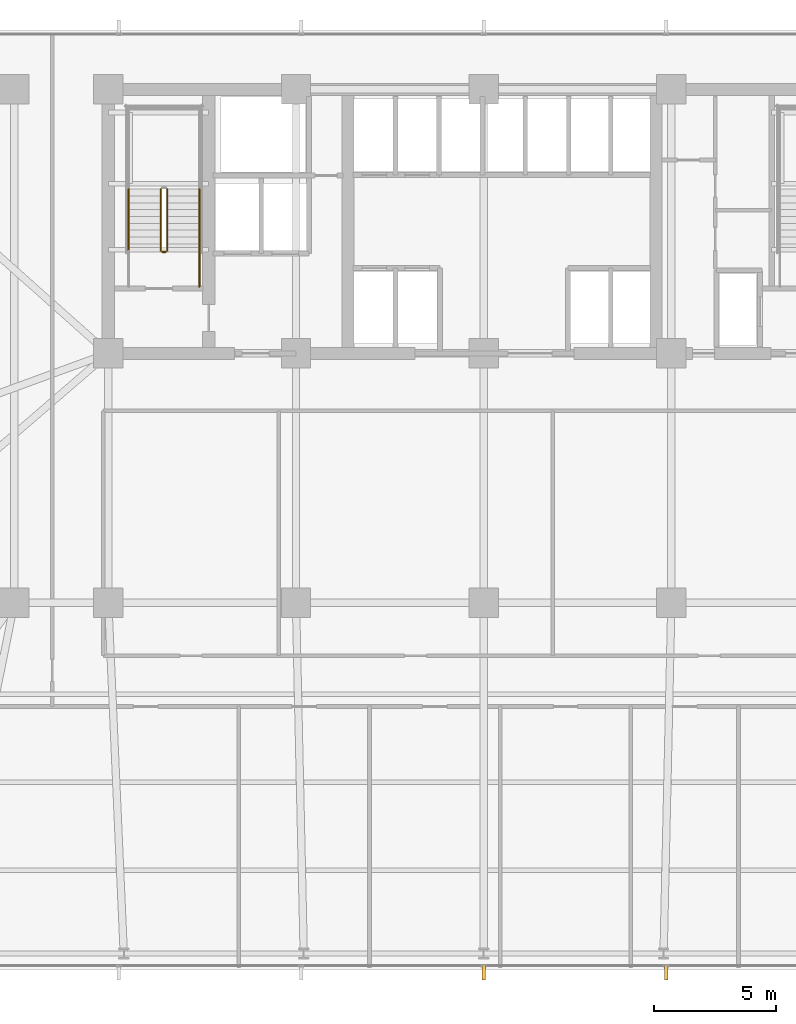
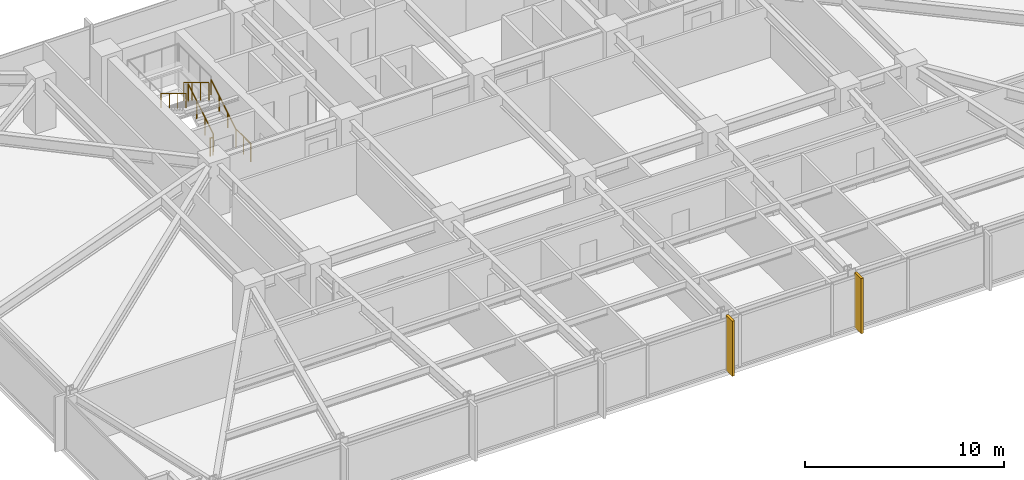
# One storey, part 28 of 32: 6 railings, 2 shading devices.
"""IFC4 building model written with IfcOpenShell, lengths in metres."""

import ifcopenshell
import ifcopenshell.guid

model = None  # the IFC model being written
_history = None  # IfcOwnerHistory: only IFC2X3 demands one
_inside = {}  # id of a spatial element -> (the spatial element, [elements in it])
_under = {}  # id of a project, library or spatial element -> (it, [spatial elements below it])
_declared = {}  # id of a project -> (the project, [libraries it declares])
_typed = {}  # id of a type object -> (the type object, [elements of that type])
_made_of = {}  # id of a material, layer set ... -> (it, [elements and type objects made of it])


def new_model(schema):
    """Start an empty IFC model of exactly this schema.

    Asked for "IFC4X3", IfcOpenShell would pick the latest addendum, in which some entities
    have other attributes; the version numbers below select the first issue.
    IFC2X3 requires an IfcOwnerHistory on every rooted entity: one is made here for all.
    """
    global model, _history
    if schema == "IFC4X3":
        model = ifcopenshell.file(schema_version=(4, 3, 0, 0))
    else:
        model = ifcopenshell.file(schema=schema)
    _inside.clear()
    _under.clear()
    _declared.clear()
    _typed.clear()
    _made_of.clear()
    _history = None
    if model.schema == "IFC2X3":
        org = make("IfcOrganization", Name="unknown")
        user = make(
            "IfcPersonAndOrganization",
            ThePerson=make("IfcPerson", FamilyName="unknown"),
            TheOrganization=org,
        )
        app = make(
            "IfcApplication",
            ApplicationDeveloper=org,
            Version="unknown",
            ApplicationFullName="unknown",
            ApplicationIdentifier="unknown",
        )
        _history = make(
            "IfcOwnerHistory",
            OwningUser=user,
            OwningApplication=app,
            ChangeAction="ADDED",
            CreationDate=0,
        )
    return model


def make(cls, **values):
    """One entity of the class cls with the attributes given. An attribute that is None is left unset."""
    return model.create_entity(
        cls, **{name: value for name, value in values.items() if value is not None}
    )


def rooted(cls, **values):
    """An entity with a GlobalId (a new one), such as an element, a storey or a relation."""
    return make(cls, GlobalId=ifcopenshell.guid.new(), OwnerHistory=_history, **values)


def si_unit(unit_type, name, prefix=None):
    """IfcSIUnit, for example si_unit("LENGTHUNIT", "METRE", prefix="MILLI")."""
    return make("IfcSIUnit", UnitType=unit_type, Prefix=prefix, Name=name)


def assignment(units):
    """IfcUnitAssignment: the units of a project."""
    return None if units is None else make("IfcUnitAssignment", Units=units)


def point(xyz):
    """IfcCartesianPoint."""
    return None if xyz is None else make("IfcCartesianPoint", Coordinates=xyz)


def direction(xyz):
    """IfcDirection."""
    return None if xyz is None else make("IfcDirection", DirectionRatios=xyz)


def frame(location, z_axis=None, x_axis=None):
    """IfcAxis2Placement3D, a coordinate frame: its origin and axes. An axis left out is left unset."""
    return make(
        "IfcAxis2Placement3D",
        Location=point(location),
        Axis=direction(z_axis),
        RefDirection=direction(x_axis),
    )


def frame_2d(location, x_axis=None):
    """IfcAxis2Placement2D, a coordinate frame in the plane: its origin and x axis."""
    return make(
        "IfcAxis2Placement2D", Location=point(location), RefDirection=direction(x_axis)
    )


def origin():
    """The frame at (0, 0, 0) with its axes left unset."""
    return frame((0.0, 0.0, 0.0))


def origin_2d():
    """The frame at (0, 0) in the plane with its x axis left unset."""
    return frame_2d((0.0, 0.0))


def place(relative_to, where):
    """IfcLocalPlacement: puts the frame where relative to a parent placement (None: the world)."""
    return make(
        "IfcLocalPlacement", PlacementRelTo=relative_to, RelativePlacement=where
    )


def context(
    kind, dimensions, precision=None, world=None, true_north=None, identifier=None
):
    """IfcGeometricRepresentationContext, for example the 3D "Model" context."""
    return make(
        "IfcGeometricRepresentationContext",
        ContextIdentifier=identifier,
        ContextType=kind,
        CoordinateSpaceDimension=dimensions,
        Precision=precision,
        WorldCoordinateSystem=world,
        TrueNorth=true_north,
    )


def subcontext(parent, identifier, kind, view, scale=None):
    """IfcGeometricRepresentationSubContext, for example "Body" below "Model"."""
    return make(
        "IfcGeometricRepresentationSubContext",
        ContextIdentifier=identifier,
        ContextType=kind,
        ParentContext=parent,
        TargetScale=scale,
        TargetView=view,
    )


def project(units=None, contexts=None):
    """IfcProject with its units and contexts."""
    return rooted(
        "IfcProject",
        Name="project",
        RepresentationContexts=contexts,
        UnitsInContext=assignment(units),
    )


def spatial(cls, under=None, at=None, **own):
    """A site, building, storey or space (cls), placed at a placement, below another one or the project."""
    s = rooted(cls, ObjectPlacement=at, **own)
    if under is not None:
        _under.setdefault(under.id(), (under, []))[1].append(s)
    return s


def profile(cls, at=None, kind="AREA", **sizes):
    """A parametric profile (cls). Its sizes go by their IFC names, for example OverallWidth=200.0."""
    return make(cls, ProfileType=kind, Position=at, **sizes)


def rectangle(**sizes):
    """IfcRectangleProfileDef."""
    return profile("IfcRectangleProfileDef", **sizes)


def circle(**sizes):
    """IfcCircleProfileDef."""
    return profile("IfcCircleProfileDef", **sizes)


def extrude(swept, where, along, depth):
    """IfcExtrudedAreaSolid: the profile swept, set in the frame where, extruded along a direction by depth."""
    return make(
        "IfcExtrudedAreaSolid",
        SweptArea=swept,
        Position=where,
        ExtrudedDirection=direction(along),
        Depth=depth,
    )


def shape(context_of_items, identifier, shape_type, items):
    """IfcShapeRepresentation: the items that make up one representation, for example the "Body"."""
    return make(
        "IfcShapeRepresentation",
        ContextOfItems=context_of_items,
        RepresentationIdentifier=identifier,
        RepresentationType=shape_type,
        Items=items,
    )


def material(Name=None, Category=None):
    """IfcMaterial."""
    return make("IfcMaterial", Name=Name, Category=Category)


def layer(
    of_material, thickness, ventilated=None, Name=None, Category=None, Priority=None
):
    """IfcMaterialLayer: one layer of a wall or slab, of a material (None: an air gap)."""
    return make(
        "IfcMaterialLayer",
        Material=of_material,
        LayerThickness=thickness,
        IsVentilated=ventilated,
        Name=Name,
        Category=Category,
        Priority=Priority,
    )


def layer_set(layers, Name=None):
    """IfcMaterialLayerSet."""
    return make("IfcMaterialLayerSet", MaterialLayers=layers, LayerSetName=Name)


def made_of(thing, what):
    """Note that an element or type object is made of a material, layer set ...; save() writes the relation."""
    if what is not None:
        _made_of.setdefault(what.id(), (what, []))[1].append(thing)
    return thing


def type_object(cls, material=None, **own):
    """A type object (cls), such as IfcWallType, which elements share."""
    return made_of(rooted(cls, **own), material)


def element(
    cls,
    number,
    at=None,
    inside=None,
    cuts=None,
    type_object=None,
    material=None,
    context=None,
    identifier="Body",
    shape_type=None,
    held_by="IfcProductDefinitionShape",
    body=None,
    shapes=None,
    **own,
):
    """One element of the class cls, such as IfcWall. Its Tag is "e" and its number.

    at: its placement. inside: the storey or other place that contains it. cuts: it is an
    opening in that element (IfcRelVoidsElement). A single representation is given by context,
    identifier, shape_type and body (its items); several are given by shapes. held_by: the class
    of the entity that holds the representations. save() writes the other relations.
    """
    e = rooted(cls, Tag="e%d" % number, ObjectPlacement=at, **own)
    if body is not None:
        shapes = [shape(context, identifier, shape_type, body)]
    if shapes is not None:
        e.Representation = make(held_by, Representations=shapes)
    if inside is not None:
        _inside.setdefault(inside.id(), (inside, []))[1].append(e)
    if cuts is not None:
        rooted(
            "IfcRelVoidsElement", RelatingBuildingElement=cuts, RelatedOpeningElement=e
        )
    if type_object is not None:
        _typed.setdefault(type_object.id(), (type_object, []))[1].append(e)
    return made_of(e, material)


def aggregate(whole, parts):
    """IfcRelAggregates: a whole, such as a stair, and the parts it consists of."""
    return rooted("IfcRelAggregates", RelatingObject=whole, RelatedObjects=parts)


def save(model, path):
    """Write the relations noted so far, then the file.

    IfcRelAggregates (storeys below a building ...), IfcRelContainedInSpatialStructure (elements
    in a storey), IfcRelDefinesByType, IfcRelAssociatesMaterial and IfcRelDeclares: one each for
    every whole, place, type object, material and project.
    """
    for whole, parts in _under.values():
        aggregate(whole, parts)
    for where, things in _inside.values():
        rooted(
            "IfcRelContainedInSpatialStructure",
            RelatedElements=things,
            RelatingStructure=where,
        )
    for kind, things in _typed.values():
        rooted("IfcRelDefinesByType", RelatedObjects=things, RelatingType=kind)
    for what, things in _made_of.values():
        rooted("IfcRelAssociatesMaterial", RelatedObjects=things, RelatingMaterial=what)
    for by, libraries in _declared.values():
        rooted("IfcRelDeclares", RelatingContext=by, RelatedDefinitions=libraries)
    model.write(path)


model = new_model("IFC4")

# Units and contexts
model_context = context("Model", 3, precision=1e-05, world=origin(), true_north=direction((0.0, 1.0)))
body_context = subcontext(model_context, "Body", "Model", "MODEL_VIEW")
ifc_project = project(units=[si_unit("LENGTHUNIT", "METRE"), si_unit("AREAUNIT", "SQUARE_METRE"), si_unit("VOLUMEUNIT", "CUBIC_METRE"), si_unit("PLANEANGLEUNIT", "RADIAN"), si_unit("MASSUNIT", "GRAM", prefix="KILO")], contexts=[model_context])

# Site, building, storey
site_placement = place(None, origin())
site = spatial("IfcSite", under=ifc_project, at=site_placement, CompositionType="ELEMENT")
building_placement = place(site_placement, origin())
building = spatial("IfcBuilding", under=site, at=building_placement, Name="Yelkora Congress Tower", CompositionType="ELEMENT")
storey_placement = place(building_placement, frame((0.0, 0.0, 44.0)))
storey = spatial("IfcBuildingStorey", under=building, at=storey_placement, Name="L10", CompositionType="ELEMENT", Elevation=44.0)

# Railings
ifc_material_1 = material(Name="Painted galvanised steel stair well guard with vertical infill", Category="steel")
ifc_layer_1 = layer(ifc_material_1, 0.06005859375)
ifc_layer_set_1 = layer_set([ifc_layer_1], Name="Painted galvanised steel stair well guard with vertical infill")
railing_type_1 = type_object("IfcRailingType", Name="RAIL-STAIR-GUARD-1120", PredefinedType="GUARDRAIL", material=ifc_layer_set_1)
railing_1_placement = place(storey_placement, frame((25.449951171875, 39.60009765625, 0.169921875)))
element("IfcRailing", 1, at=railing_1_placement, inside=storey, type_object=railing_type_1, Name="ST-01 L10 Stair Well Guardrail 1", PredefinedType="GUARDRAIL", context=body_context, shape_type="SweptSolid", body=[
    extrude(circle(Radius=0.02392578125, at=origin_2d()), frame((0.0, 0.0, 1.09619140625), z_axis=(0.0, 0.85478489116, 0.518982456201), x_axis=(-1.0, 0.0, 0.0)), (0.0, 0.0, 1.0), 2.9482421875),
    extrude(circle(Radius=0.02099609375, at=origin_2d()), origin(), (0.0, 0.0, 1.0), 1.072021484375),
    extrude(circle(Radius=0.02099609375, at=origin_2d()), frame((0.0, 0.840087890625, 0.510009765625)), (0.0, 0.0, 1.0), 1.072021484375),
    extrude(circle(Radius=0.02099609375, at=origin_2d()), frame((0.0, 1.679931640625, 1.02001953125)), (0.0, 0.0, 1.0), 1.072021484375),
    extrude(circle(Radius=0.02099609375, at=origin_2d()), frame((0.0, 2.52001953125, 1.530029296875)), (0.0, 0.0, 1.0), 1.072021484375),
])
railing_2_placement = place(storey_placement, frame((25.18994140625, 42.1201171875, 1.8701171875)))
element("IfcRailing", 2, at=railing_2_placement, inside=storey, type_object=railing_type_1, Name="ST-01 L10 Stair Well Guardrail 6", PredefinedType="GUARDRAIL", context=body_context, shape_type="SweptSolid", body=[
    extrude(circle(Radius=0.02392578125, at=origin_2d()), frame((0.0, 0.0, 1.09619140625), z_axis=(0.0, -0.854821627497, 0.518921945155), x_axis=(1.0, 0.0, 0.0)), (0.0, 0.0, 1.0), 2.947998046875),
    extrude(circle(Radius=0.02099609375, at=origin_2d()), origin(), (0.0, 0.0, 1.0), 1.072021484375),
    extrude(circle(Radius=0.02099609375, at=origin_2d()), frame((0.0, -0.840087890625, 0.510009765625)), (0.0, 0.0, 1.0), 1.072021484375),
    extrude(circle(Radius=0.02099609375, at=origin_2d()), frame((0.0, -1.679931640625, 1.019775390625)), (0.0, 0.0, 1.0), 1.072021484375),
    extrude(circle(Radius=0.02099609375, at=origin_2d()), frame((0.0, -2.52001953125, 1.52978515625)), (0.0, 0.0, 1.0), 1.072021484375),
])
railing_3_placement = place(storey_placement, frame((25.39990234375, 39.550048828125, 0.0)))
element("IfcRailing", 3, at=railing_3_placement, inside=storey, type_object=railing_type_1, Name="ST-01 L10 Stair Well Guardrail 7", PredefinedType="GUARDRAIL", context=body_context, shape_type="SweptSolid", body=[
    extrude(circle(Radius=0.02392578125, at=origin_2d()), frame((0.0, 0.0, 1.09619140625), z_axis=(-1.0, 0.0, 0.0), x_axis=(0.0, -1.0, 0.0)), (0.0, 0.0, 1.0), 0.159912109375),
    extrude(circle(Radius=0.02099609375, at=origin_2d()), origin(), (0.0, 0.0, 1.0), 1.072021484375),
    extrude(circle(Radius=0.02099609375, at=origin_2d()), frame((-0.159912109375, 0.0, 0.0)), (0.0, 0.0, 1.0), 1.072021484375),
])
railing_4_placement = place(storey_placement, frame((26.77001953125, 38.1201171875, 0.0)))
element("IfcRailing", 4, at=railing_4_placement, inside=storey, type_object=railing_type_1, Name="ST-01 L10 Stair Well Guardrail 8", PredefinedType="GUARDRAIL", context=body_context, shape_type="SweptSolid", body=[
    extrude(circle(Radius=0.02392578125, at=origin_2d()), frame((0.0, 0.0, 1.09619140625), z_axis=(0.0, 1.0, 0.0), x_axis=(-1.0, 0.0, 0.0)), (0.0, 0.0, 1.0), 1.47998046875),
    extrude(circle(Radius=0.02099609375, at=origin_2d()), origin(), (0.0, 0.0, 1.0), 1.072021484375),
    extrude(circle(Radius=0.02099609375, at=origin_2d()), frame((0.0, 0.739990234375, 0.0)), (0.0, 0.0, 1.0), 1.072021484375),
    extrude(circle(Radius=0.02099609375, at=origin_2d()), frame((0.0, 1.47998046875, 0.0)), (0.0, 0.0, 1.0), 1.072021484375),
])
ifc_material_2 = material(Name="Brushed stainless steel tubular handrail", Category="steel")
ifc_layer_2 = layer(ifc_material_2, 0.050048828125)
ifc_layer_set_2 = layer_set([ifc_layer_2], Name="Brushed stainless steel tubular handrail")
railing_type_2 = type_object("IfcRailingType", Name="RAIL-STAIR-HAND-920", PredefinedType="HANDRAIL", material=ifc_layer_set_2)
railing_5_placement = place(storey_placement, frame((26.77001953125, 39.60009765625, 0.169921875)))
element("IfcRailing", 5, at=railing_5_placement, inside=storey, type_object=railing_type_2, Name="ST-01 L10 Pitch Handrail 1", PredefinedType="HANDRAIL", context=body_context, shape_type="SweptSolid", body=[
    extrude(circle(Radius=0.02392578125, at=origin_2d()), frame((0.0, 0.0, 0.89599609375), z_axis=(0.0, 0.85478489116, 0.518982456201), x_axis=(-1.0, 0.0, 0.0)), (0.0, 0.0, 1.0), 2.9482421875),
    extrude(circle(Radius=0.02099609375, at=origin_2d()), origin(), (0.0, 0.0, 1.0), 0.871826171875),
    extrude(circle(Radius=0.02099609375, at=origin_2d()), frame((0.0, 0.840087890625, 0.510009765625)), (0.0, 0.0, 1.0), 0.871826171875),
    extrude(circle(Radius=0.02099609375, at=origin_2d()), frame((0.0, 1.679931640625, 1.02001953125)), (0.0, 0.0, 1.0), 0.871826171875),
    extrude(circle(Radius=0.02099609375, at=origin_2d()), frame((0.0, 2.52001953125, 1.530029296875)), (0.0, 0.0, 1.0), 0.871826171875),
])
railing_6_placement = place(storey_placement, frame((23.8701171875, 42.1201171875, 1.8701171875)))
element("IfcRailing", 6, at=railing_6_placement, inside=storey, type_object=railing_type_2, Name="ST-01 L10 Pitch Handrail 2", PredefinedType="HANDRAIL", context=body_context, shape_type="SweptSolid", body=[
    extrude(circle(Radius=0.02392578125, at=origin_2d()), frame((0.0, 0.0, 0.89599609375), z_axis=(0.0, -0.854821627497, 0.518921945155), x_axis=(1.0, 0.0, 0.0)), (0.0, 0.0, 1.0), 2.947998046875),
    extrude(circle(Radius=0.02099609375, at=origin_2d()), origin(), (0.0, 0.0, 1.0), 0.871826171875),
    extrude(circle(Radius=0.02099609375, at=origin_2d()), frame((0.0, -0.840087890625, 0.510009765625)), (0.0, 0.0, 1.0), 0.871826171875),
    extrude(circle(Radius=0.02099609375, at=origin_2d()), frame((0.0, -1.679931640625, 1.019775390625)), (0.0, 0.0, 1.0), 0.871826171875),
    extrude(circle(Radius=0.02099609375, at=origin_2d()), frame((0.0, -2.52001953125, 1.52978515625)), (0.0, 0.0, 1.0), 0.871826171875),
])

# Shading devices
ifc_material_3 = material(Name="Champagne anodised aluminium", Category="aluminium")
ifc_layer_3 = layer(ifc_material_3, 3.39990234375)
ifc_layer_set_3 = layer_set([ifc_layer_3], Name="Champagne anodised aluminium")
shading_device_type = type_object("IfcShadingDeviceType", Name="SHD-FIN-ALU-640", PredefinedType="USERDEFINED", material=ifc_layer_set_3)
for number, where, z_axis, x_axis, name in (
    (7, (45.864990234375, 10.080078125, -0.030029296875), (0.0, 0.0, 1.0), (-1.0, 0.0, 0.0), "L10 Vertical Anodised Solar Fin 20-3"),
    (8, (38.39990234375, 10.080078125, -0.030029296875), (0.0, 0.0, 1.0), (-1.0, 0.0, 0.0), "L10 Vertical Anodised Solar Fin 20-4"),
):
    element("IfcShadingDevice", number, at=place(storey_placement, frame(where, z_axis=z_axis, x_axis=x_axis)), inside=storey, type_object=shading_device_type, Name=name, ObjectType="FIN", PredefinedType="USERDEFINED", context=body_context, shape_type="SweptSolid", body=[
        extrude(rectangle(XDim=0.139892578125, YDim=0.639892578125, at=origin_2d()), origin(), (0.0, 0.0, 1.0), 3.3798828125),
    ])

save(model, "model.ifc")
